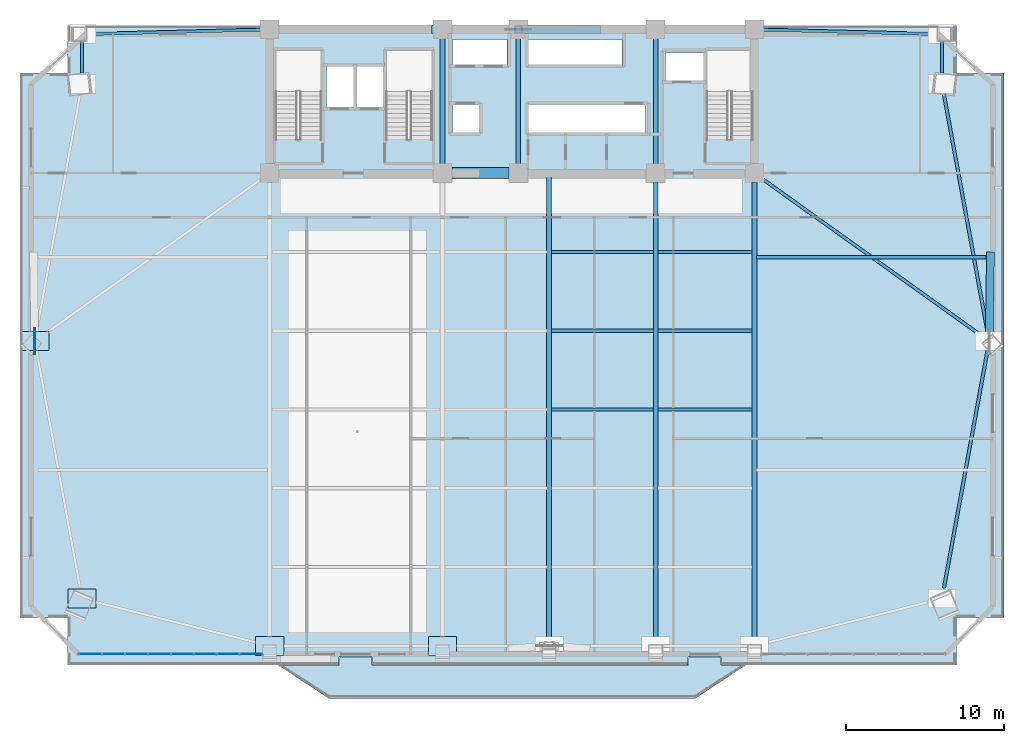
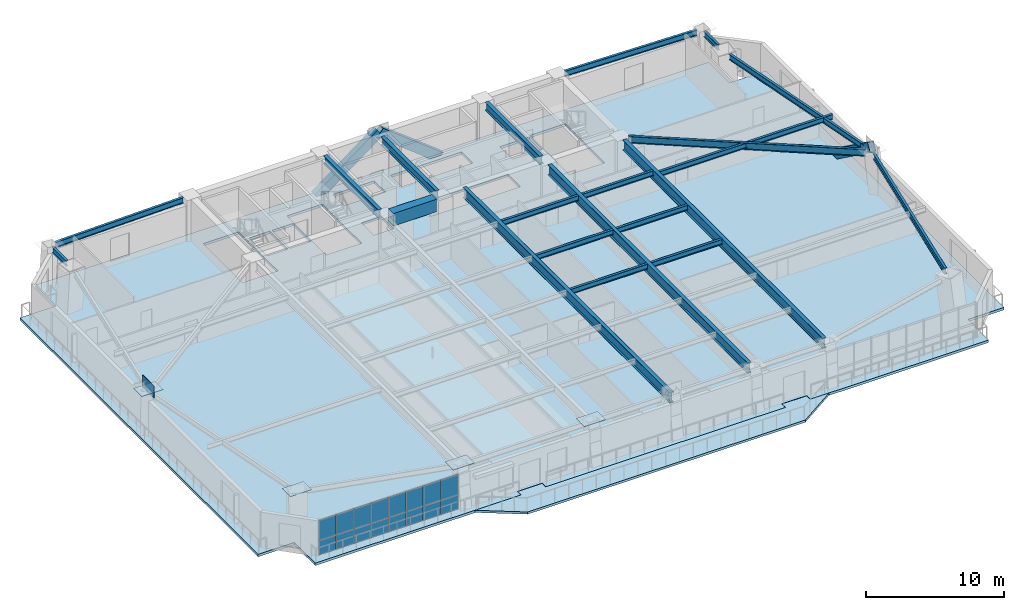
# One storey, part 6 of 15: 21 beams, 21 plates, 3 members, 2 slabs, 1 element without a shape of its own.
"""IFC4 building model written with IfcOpenShell, lengths in metres."""

from ifc_helpers import new_model, si_unit, direction, frame, origin, origin_2d, place, context, subcontext, project, spatial, polyline, rectangle, hollow_rectangle, i_section, outline, extrude, source, transform, mapped, material, layer, layer_set, material_profile, profile_set, type_object, element, aggregate, save


model = new_model("IFC4")

# Units and contexts
model_context = context("Model", 3, precision=1e-05, world=origin(), true_north=direction((0.0, 1.0)))
body_context = subcontext(model_context, "Body", "Model", "MODEL_VIEW")
ifc_project = project(units=[si_unit("LENGTHUNIT", "METRE"), si_unit("AREAUNIT", "SQUARE_METRE"), si_unit("VOLUMEUNIT", "CUBIC_METRE"), si_unit("PLANEANGLEUNIT", "RADIAN"), si_unit("MASSUNIT", "GRAM", prefix="KILO")], contexts=[model_context])

# Site, building, storey
site_placement = place(None, origin())
site = spatial("IfcSite", under=ifc_project, at=site_placement, CompositionType="ELEMENT")
building_placement = place(site_placement, origin())
building = spatial("IfcBuilding", under=site, at=building_placement, Name="Giltprow Tower", CompositionType="ELEMENT")
storey_placement = place(building_placement, frame((0.0, 0.0, 119.199951171875)))
storey = spatial("IfcBuildingStorey", under=building, at=storey_placement, Name="L29", CompositionType="ELEMENT", Elevation=119.199951171875)

# Beams
ifc_material_1 = material(Name="Concrete C60", Category="concrete")
ifc_material_profile_1 = material_profile(ifc_material_1, rectangle(XDim=0.699951171875, YDim=1.10009765625, at=origin_2d()), Name="RC 1100x700")
ifc_profile_set_1 = profile_set([ifc_material_profile_1], Name="Concrete C60")
beam_type_1 = type_object("IfcBeamType", Name="BM-CPL-RC1100", PredefinedType="LINTEL", material=ifc_profile_set_1)
shared_shape_1 = source(origin(), body_context, "Body", "SweptSolid", [
    extrude(rectangle(XDim=0.699951171875, YDim=1.10009765625, at=origin_2d()), origin(), (0.0, 0.0, 1.0), 3.6298828125),
])
beam_1_placement = place(storey_placement, frame((31.385009765625, 37.449951171875, 3.130126953125), z_axis=(1.0, 0.0, 0.0), x_axis=(0.0, 1.0, 0.0)))
element("IfcBeam", 1, at=beam_1_placement, inside=storey, type_object=beam_type_1, Name="L29 Core Coupling Beam CB-1", PredefinedType="LINTEL", context=body_context, shape_type="MappedRepresentation", body=[
    mapped(shared_shape_1, transform((0.0, 0.0, 0.0), x_axis=(1.0, 0.0, 0.0), y_axis=(0.0, 1.0, 0.0), z_axis=(0.0, 0.0, 1.0), scale=1.0)),
])
ifc_material_2 = material(Name="Structural steel Q355B", Category="steel")
ifc_material_profile_2 = material_profile(ifc_material_2, i_section(OverallWidth=0.300048828125, OverallDepth=0.699951171875, WebThickness=0.012939453125, FlangeThickness=0.02392578125, at=origin_2d()), Name="HN 700x300x13x24")
ifc_profile_set_2 = profile_set([ifc_material_profile_2], Name="Structural steel Q355B")
beam_type_2 = type_object("IfcBeamType", Name="BM-GIRD-HN700", PredefinedType="BEAM", material=ifc_profile_set_2)
shared_shape_2 = source(origin(), body_context, "Body", "SweptSolid", [
    extrude(i_section(OverallWidth=0.300048828125, OverallDepth=0.699951171875, WebThickness=0.012939453125, FlangeThickness=0.02392578125, at=origin_2d()), origin(), (0.0, 0.0, 1.0), 7.93017578125),
])
for number, where, z_axis, x_axis, name in (
    (2, (30.800048828125, 38.034912109375, 3.330078125), (0.0, 1.0, 0.0), (-1.0, 0.0, 0.0), "L29 Core Tie Girder M1"),
    (3, (35.60009765625, 38.034912109375, 3.330078125), (0.0, 1.0, 0.0), (-1.0, 0.0, 0.0), "L29 Core Tie Girder M2"),
    (4, (44.300048828125, 38.034912109375, 3.330078125), (0.0, 1.0, 0.0), (-1.0, 0.0, 0.0), "L29 Core Tie Girder M3"),
):
    element("IfcBeam", number, at=place(storey_placement, frame(where, z_axis=z_axis, x_axis=x_axis)), inside=storey, type_object=beam_type_2, Name=name, PredefinedType="BEAM", context=body_context, shape_type="MappedRepresentation", body=[
        mapped(shared_shape_2, transform((0.0, 0.0, 0.0), x_axis=(1.0, 0.0, 0.0), y_axis=(0.0, 1.0, 0.0), z_axis=(0.0, 0.0, 1.0), scale=1.0)),
    ])
ifc_material_profile_3 = material_profile(ifc_material_2, i_section(OverallWidth=0.199951171875, OverallDepth=0.449951171875, WebThickness=0.009033203125, FlangeThickness=0.013916015625, at=origin_2d()), Name="HN 450x200x9x14")
ifc_profile_set_3 = profile_set([ifc_material_profile_3], Name="Structural steel Q355B")
beam_type_3 = type_object("IfcBeamType", Name="BM-JOIST-HN450", PredefinedType="JOIST", material=ifc_profile_set_3)
shared_shape_3 = source(origin(), body_context, "Body", "SweptSolid", [
    extrude(i_section(OverallWidth=0.199951171875, OverallDepth=0.449951171875, WebThickness=0.009033203125, FlangeThickness=0.013916015625, at=origin_2d()), origin(), (0.0, 0.0, 1.0), 6.4599609375),
])
for number, where, z_axis, x_axis, name in (
    (5, (37.695068359375, 22.48388671875, 3.455078125), (1.0, 0.0, 0.0), (0.0, 1.0, 0.0), "L29 Composite Floor Joist 3-3"),
    (6, (37.695068359375, 27.472900390625, 3.455078125), (1.0, 0.0, 0.0), (0.0, 1.0, 0.0), "L29 Composite Floor Joist 4-3"),
    (7, (37.695068359375, 32.4609375, 3.455078125), (1.0, 0.0, 0.0), (0.0, 1.0, 0.0), "L29 Composite Floor Joist 5-3"),
):
    element("IfcBeam", number, at=place(storey_placement, frame(where, z_axis=z_axis, x_axis=x_axis)), inside=storey, type_object=beam_type_3, Name=name, PredefinedType="JOIST", context=body_context, shape_type="MappedRepresentation", body=[
        mapped(shared_shape_3, transform((0.0, 0.0, 0.0), x_axis=(1.0, 0.0, 0.0), y_axis=(0.0, 1.0, 0.0), z_axis=(0.0, 0.0, 1.0), scale=1.0)),
    ])
shared_shape_4 = source(origin(), body_context, "Body", "SweptSolid", [
    extrude(i_section(OverallWidth=0.199951171875, OverallDepth=0.449951171875, WebThickness=0.009033203125, FlangeThickness=0.013916015625, at=origin_2d()), origin(), (0.0, 0.0, 1.0), 5.9599609375),
])
for number, where, z_axis, x_axis, name in (
    (8, (44.445068359375, 22.48388671875, 3.455078125), (1.0, 0.0, 0.0), (0.0, 1.0, 0.0), "L29 Composite Floor Joist 3-4"),
    (9, (44.445068359375, 27.472900390625, 3.455078125), (1.0, 0.0, 0.0), (0.0, 1.0, 0.0), "L29 Composite Floor Joist 4-4"),
    (10, (44.445068359375, 32.4609375, 3.455078125), (1.0, 0.0, 0.0), (0.0, 1.0, 0.0), "L29 Composite Floor Joist 5-4"),
):
    element("IfcBeam", number, at=place(storey_placement, frame(where, z_axis=z_axis, x_axis=x_axis)), inside=storey, type_object=beam_type_3, Name=name, PredefinedType="JOIST", context=body_context, shape_type="MappedRepresentation", body=[
        mapped(shared_shape_4, transform((0.0, 0.0, 0.0), x_axis=(1.0, 0.0, 0.0), y_axis=(0.0, 1.0, 0.0), z_axis=(0.0, 0.0, 1.0), scale=1.0)),
    ])
ifc_material_profile_4 = material_profile(ifc_material_2, i_section(OverallWidth=0.199951171875, OverallDepth=0.5, WebThickness=0.010009765625, FlangeThickness=0.01611328125, at=origin_2d()), Name="HN 500x200x10x16")
ifc_profile_set_4 = profile_set([ifc_material_profile_4], Name="Structural steel Q355B")
beam_type_4 = type_object("IfcBeamType", Name="BM-SPAN-HN500", PredefinedType="SPANDREL", material=ifc_profile_set_4)
shared_shape_5 = source(origin(), body_context, "Body", "SweptSolid", [
    extrude(i_section(OverallWidth=0.199951171875, OverallDepth=0.5, WebThickness=0.010009765625, FlangeThickness=0.01611328125, at=origin_2d()), origin(), (0.0, 0.0, 1.0), 15.45166015625),
])
for number, where, z_axis, x_axis, name in (
    (11, (62.553955078125, 11.18310546875, 3.429931640625), (0.180439714117, 0.983586045839, 0.0), (-0.983586045839, 0.180439714117, 0.0), "L29 Perimeter Spandrel Beam MC_SE-E_MID"),
    (12, (65.342041015625, 27.237060546875, 3.429931640625), (-0.180439714117, 0.983586045839, 0.0), (-0.983586045839, -0.180439714117, 0.0), "L29 Perimeter Spandrel Beam E_MID-MC_NE"),
):
    element("IfcBeam", number, at=place(storey_placement, frame(where, z_axis=z_axis, x_axis=x_axis)), inside=storey, type_object=beam_type_4, Name=name, PredefinedType="SPANDREL", context=body_context, shape_type="MappedRepresentation", body=[
        mapped(shared_shape_5, transform((0.0, 0.0, 0.0), x_axis=(1.0, 0.0, 0.0), y_axis=(0.0, 1.0, 0.0), z_axis=(0.0, 0.0, 1.0), scale=1.0)),
    ])
shared_shape_6 = source(origin(), body_context, "Body", "SweptSolid", [
    extrude(i_section(OverallWidth=0.199951171875, OverallDepth=0.5, WebThickness=0.010009765625, FlangeThickness=0.01611328125, at=origin_2d()), origin(), (0.0, 0.0, 1.0), 2.02099609375),
])
for number, where, z_axis, x_axis, name in (
    (13, (62.429931640625, 43.7939453125, 3.429931640625), (0.0, 1.0, 0.0), (-1.0, 0.0, 0.0), "L29 Perimeter Spandrel Beam MC_NE-N_E"),
    (14, (7.969970703125, 45.81494140625, 3.429931640625), (0.0, -1.0, 0.0), (1.0, 0.0, 0.0), "L29 Perimeter Spandrel Beam N_W-MC_NW"),
):
    element("IfcBeam", number, at=place(storey_placement, frame(where, z_axis=z_axis, x_axis=x_axis)), inside=storey, type_object=beam_type_4, Name=name, PredefinedType="SPANDREL", context=body_context, shape_type="MappedRepresentation", body=[
        mapped(shared_shape_6, transform((0.0, 0.0, 0.0), x_axis=(1.0, 0.0, 0.0), y_axis=(0.0, 1.0, 0.0), z_axis=(0.0, 0.0, 1.0), scale=1.0)),
    ])
shared_shape_7 = source(origin(), body_context, "Body", "SweptSolid", [
    extrude(i_section(OverallWidth=0.199951171875, OverallDepth=0.5, WebThickness=0.010009765625, FlangeThickness=0.01611328125, at=origin_2d()), origin(), (0.0, 0.0, 1.0), 10.86328125),
])
beam_2_placement = place(storey_placement, frame((8.405029296875, 46.260986328125, 3.429931640625), z_axis=(0.99968203455, 0.025215665725, 0.0), x_axis=(-0.025215665725, 0.99968203455, 0.0)))
element("IfcBeam", 15, at=beam_2_placement, inside=storey, type_object=beam_type_4, Name="L29 North Wing Spandrel W", PredefinedType="SPANDREL", context=body_context, shape_type="MappedRepresentation", body=[
    mapped(shared_shape_7, transform((0.0, 0.0, 0.0), x_axis=(1.0, 0.0, 0.0), y_axis=(0.0, 1.0, 0.0), z_axis=(0.0, 0.0, 1.0), scale=1.0)),
])
shared_shape_8 = source(origin(), body_context, "Body", "SweptSolid", [
    extrude(i_section(OverallWidth=0.199951171875, OverallDepth=0.5, WebThickness=0.010009765625, FlangeThickness=0.01611328125, at=origin_2d()), origin(), (0.0, 0.0, 1.0), 10.863525390625),
])
beam_3_placement = place(storey_placement, frame((51.135009765625, 46.534912109375, 3.429931640625), z_axis=(0.999682048839, -0.025215099224, 0.0), x_axis=(0.025215099224, 0.999682048839, 0.0)))
element("IfcBeam", 16, at=beam_3_placement, inside=storey, type_object=beam_type_4, Name="L29 North Wing Spandrel E", PredefinedType="SPANDREL", context=body_context, shape_type="MappedRepresentation", body=[
    mapped(shared_shape_8, transform((0.0, 0.0, 0.0), x_axis=(1.0, 0.0, 0.0), y_axis=(0.0, 1.0, 0.0), z_axis=(0.0, 0.0, 1.0), scale=1.0)),
])
ifc_material_profile_5 = material_profile(ifc_material_2, i_section(OverallWidth=0.300048828125, OverallDepth=0.89990234375, WebThickness=0.01611328125, FlangeThickness=0.028076171875, at=origin_2d()), Name="HN 900x300x16x28")
ifc_profile_set_5 = profile_set([ifc_material_profile_5], Name="Structural steel Q355B")
beam_type_5 = type_object("IfcBeamType", Name="BM-GIRD-HN900", PredefinedType="BEAM", material=ifc_profile_set_5)
shared_shape_9 = source(origin(), body_context, "Body", "SweptSolid", [
    extrude(i_section(OverallWidth=0.300048828125, OverallDepth=0.89990234375, WebThickness=0.01611328125, FlangeThickness=0.028076171875, at=origin_2d()), origin(), (0.0, 0.0, 1.0), 28.912109375),
])
for number, where, z_axis, x_axis, name in (
    (17, (44.300048828125, 7.952880859375, 3.22998046875), (0.0, 1.0, 0.0), (-1.0, 0.0, 0.0), "L29 Primary Lease Girder S3"),
    (18, (50.550048828125, 7.952880859375, 3.22998046875), (0.0, 1.0, 0.0), (-1.0, 0.0, 0.0), "L29 Primary Lease Girder S4"),
):
    element("IfcBeam", number, at=place(storey_placement, frame(where, z_axis=z_axis, x_axis=x_axis)), inside=storey, type_object=beam_type_5, Name=name, PredefinedType="BEAM", context=body_context, shape_type="MappedRepresentation", body=[
        mapped(shared_shape_9, transform((0.0, 0.0, 0.0), x_axis=(1.0, 0.0, 0.0), y_axis=(0.0, 1.0, 0.0), z_axis=(0.0, 0.0, 1.0), scale=1.0)),
    ])
shared_shape_10 = source(origin(), body_context, "Body", "SweptSolid", [
    extrude(i_section(OverallWidth=0.300048828125, OverallDepth=0.89990234375, WebThickness=0.01611328125, FlangeThickness=0.028076171875, at=origin_2d()), origin(), (0.0, 0.0, 1.0), 29.931884765625),
])
beam_4_placement = place(storey_placement, frame((37.550048828125, 7.51806640625, 3.22998046875), z_axis=(0.0, 1.0, 0.0), x_axis=(-1.0, 0.0, 0.0)))
element("IfcBeam", 19, at=beam_4_placement, inside=storey, type_object=beam_type_5, Name="L29 Central Lease Girder SMID", PredefinedType="BEAM", context=body_context, shape_type="MappedRepresentation", body=[
    mapped(shared_shape_10, transform((0.0, 0.0, 0.0), x_axis=(1.0, 0.0, 0.0), y_axis=(0.0, 1.0, 0.0), z_axis=(0.0, 0.0, 1.0), scale=1.0)),
])
ifc_material_profile_6 = material_profile(ifc_material_2, i_section(OverallWidth=0.199951171875, OverallDepth=0.60009765625, WebThickness=0.010986328125, FlangeThickness=0.01708984375, at=origin_2d()), Name="HN 600x200x11x17")
ifc_profile_set_6 = profile_set([ifc_material_profile_6], Name="Structural steel Q355B")
beam_type_6 = type_object("IfcBeamType", Name="BM-GIRD-HN600", PredefinedType="BEAM", material=ifc_profile_set_6)
shared_shape_11 = source(origin(), body_context, "Body", "SweptSolid", [
    extrude(i_section(OverallWidth=0.199951171875, OverallDepth=0.60009765625, WebThickness=0.010986328125, FlangeThickness=0.01708984375, at=origin_2d()), origin(), (0.0, 0.0, 1.0), 17.265869140625),
])
beam_5_placement = place(storey_placement, frame((65.06689453125, 27.06201171875, 3.380126953125), z_axis=(-0.813218189266, 0.581958913194, 0.0), x_axis=(-0.581958913194, -0.813218189266, 0.0)))
element("IfcBeam", 20, at=beam_5_placement, inside=storey, type_object=beam_type_6, Name="L29 East Wing Primary Girder", PredefinedType="BEAM", context=body_context, shape_type="MappedRepresentation", body=[
    mapped(shared_shape_11, transform((0.0, 0.0, 0.0), x_axis=(1.0, 0.0, 0.0), y_axis=(0.0, 1.0, 0.0), z_axis=(0.0, 0.0, 1.0), scale=1.0)),
])
shared_shape_12 = source(origin(), body_context, "Body", "SweptSolid", [
    extrude(i_section(OverallWidth=0.199951171875, OverallDepth=0.449951171875, WebThickness=0.009033203125, FlangeThickness=0.013916015625, at=origin_2d()), origin(), (0.0, 0.0, 1.0), 14.505859375),
])
beam_6_placement = place(storey_placement, frame((50.695068359375, 32.1298828125, 3.455078125), z_axis=(1.0, 0.0, 0.0), x_axis=(0.0, 1.0, 0.0)))
element("IfcBeam", 21, at=beam_6_placement, inside=storey, type_object=beam_type_3, Name="L29 East Wing Floor Joist 2", PredefinedType="JOIST", context=body_context, shape_type="MappedRepresentation", body=[
    mapped(shared_shape_12, transform((0.0, 0.0, 0.0), x_axis=(1.0, 0.0, 0.0), y_axis=(0.0, 1.0, 0.0), z_axis=(0.0, 0.0, 1.0), scale=1.0)),
])

# Members
ifc_material_3 = material(Name="Structural steel Q420GJC", Category="steel")
ifc_material_profile_7 = material_profile(ifc_material_3, hollow_rectangle(XDim=0.5, YDim=0.800048828125, WallThickness=0.035888671875, at=origin_2d()), Name="RHS 800x500x36")
ifc_profile_set_7 = profile_set([ifc_material_profile_7], Name="Structural steel Q420GJC")
member_type = type_object("IfcMemberType", Name="MBR-MEGA-RHS800", PredefinedType="BRACE", material=ifc_profile_set_7)
shared_shape_13 = source(origin(), body_context, "Body", "SweptSolid", [
    extrude(hollow_rectangle(XDim=0.5, YDim=0.800048828125, WallThickness=0.035888671875, at=origin_2d()), origin(), (0.0, 0.0, 1.0), 6.5400390625),
])
member_1_placement = place(storey_placement, frame((30.35009765625, 46.550048828125, -0.139892578125), z_axis=(0.802750995836, 0.0, 0.596314379068), x_axis=(0.0, 1.0, 0.0)))
element("IfcMember", 22, at=member_1_placement, inside=storey, type_object=member_type, Name="L29 Chevron Mega-Brace N-L", PredefinedType="BRACE", context=body_context, shape_type="MappedRepresentation", body=[
    mapped(shared_shape_13, transform((0.0, 0.0, 0.0), x_axis=(1.0, 0.0, 0.0), y_axis=(0.0, 1.0, 0.0), z_axis=(0.0, 0.0, 1.0), scale=1.0)),
])
shared_shape_14 = source(origin(), body_context, "Body", "SweptSolid", [
    extrude(hollow_rectangle(XDim=0.5, YDim=0.800048828125, WallThickness=0.035888671875, at=origin_2d()), origin(), (0.0, 0.0, 1.0), 6.32763671875),
])
member_2_placement = place(storey_placement, frame((40.5830078125, 46.550048828125, -0.139892578125), z_axis=(-0.787487088571, 0.0, 0.616331149086), x_axis=(0.0, -1.0, 0.0)))
element("IfcMember", 23, at=member_2_placement, inside=storey, type_object=member_type, Name="L29 Chevron Mega-Brace N-R", PredefinedType="BRACE", context=body_context, shape_type="MappedRepresentation", body=[
    mapped(shared_shape_14, transform((0.0, 0.0, 0.0), x_axis=(1.0, 0.0, 0.0), y_axis=(0.0, 1.0, 0.0), z_axis=(0.0, 0.0, 1.0), scale=1.0)),
])
shared_shape_15 = source(origin(), body_context, "Body", "SweptSolid", [
    extrude(hollow_rectangle(XDim=0.5, YDim=0.800048828125, WallThickness=0.035888671875, at=origin_2d()), origin(), (0.0, 0.0, 1.0), 6.681640625),
])
member_3_placement = place(storey_placement, frame((65.4990234375, 32.23388671875, 0.0), z_axis=(-0.011692300246, -0.811884098312, 0.583701551329), x_axis=(0.999896315389, -0.014399946936, 0.0)))
element("IfcMember", 24, at=member_3_placement, inside=storey, type_object=member_type, Name="L29 Chevron Mega-Brace E-R", PredefinedType="BRACE", context=body_context, shape_type="MappedRepresentation", body=[
    mapped(shared_shape_15, transform((0.0, 0.0, 0.0), x_axis=(1.0, 0.0, 0.0), y_axis=(0.0, 1.0, 0.0), z_axis=(0.0, 0.0, 1.0), scale=1.0)),
])

# Slabs
ifc_material_4 = material(Name="Concrete C40", Category="concrete")
ifc_layer_1 = layer(ifc_material_4, 0.199951171875, Name="Concrete C40")
ifc_layer_set_1 = layer_set([ifc_layer_1], Name="Concrete C40")
slab_type_1 = type_object("IfcSlabType", Name="SLB-BALC-BRONZE-200", PredefinedType="FLOOR", material=ifc_layer_set_1)
slab_1_placement = place(storey_placement, frame((0.0, 0.0, -0.199951171875)))
element("IfcSlab", 25, at=slab_1_placement, inside=storey, type_object=slab_type_1, Name="L29 Bronze Prow Waterfront Balcony Slab", PredefinedType="FLOOR", context=body_context, shape_type="SweptSolid", body=[
    extrude(outline(polyline([(50.0, 6.2900390625), (46.800048828125, 4.18994140625), (23.60009765625, 4.18994140625), (20.39990234375, 6.2900390625), (24.280029296875, 6.2900390625), (24.280029296875, 6.7900390625), (26.320068359375, 6.7900390625), (26.320068359375, 6.2900390625), (46.3798828125, 6.2900390625), (46.3798828125, 6.7900390625), (48.419921875, 6.7900390625), (48.419921875, 6.2900390625), (50.0, 6.2900390625)])), origin(), (0.0, 0.0, 1.0), 0.199951171875),
])
ifc_layer_2 = layer(ifc_material_4, 0.219970703125, Name="Concrete C40")
ifc_layer_set_2 = layer_set([ifc_layer_2], Name="Concrete C40")
slab_type_2 = type_object("IfcSlabType", Name="SLB-OFF-220", PredefinedType="FLOOR", material=ifc_layer_set_2)
slab_2_placement = place(storey_placement, frame((0.0, 0.0, -0.219970703125)))
element("IfcSlab", 26, at=slab_2_placement, inside=storey, type_object=slab_type_2, Name="L29 Structural Composite Floor Slab", PredefinedType="FLOOR", context=body_context, shape_type="SweptSolid", body=[
    extrude(outline(polyline([(7.06103515625, 6.2900390625), (7.06103515625, 9.306884765625), (4.0439453125, 9.306884765625), (4.0439453125, 43.782958984375), (7.06103515625, 43.782958984375), (7.06103515625, 46.800048828125), (63.339111328125, 46.800048828125), (63.339111328125, 43.782958984375), (66.35595703125, 43.782958984375), (66.35595703125, 9.306884765625), (63.339111328125, 9.306884765625), (63.339111328125, 6.2900390625), (48.449951171875, 6.2900390625), (48.449951171875, 6.81005859375), (46.35009765625, 6.81005859375), (46.35009765625, 6.2900390625), (26.35009765625, 6.2900390625), (26.35009765625, 6.81005859375), (24.25, 6.81005859375), (24.25, 6.2900390625), (7.06103515625, 6.2900390625)]), holes=[polyline([(33.10009765625, 41.800048828125), (31.419921875, 41.800048828125), (31.419921875, 40.0), (33.10009765625, 40.0), (33.10009765625, 41.800048828125)]), polyline([(23.159912109375, 39.570068359375), (23.159912109375, 45.25), (20.199951171875, 45.25), (20.199951171875, 39.570068359375), (23.159912109375, 39.570068359375)]), polyline([(30.159912109375, 45.25), (27.199951171875, 45.25), (27.199951171875, 39.570068359375), (30.159912109375, 39.570068359375), (30.159912109375, 45.25)]), polyline([(25.169921875, 41.60009765625), (25.169921875, 44.199951171875), (23.449951171875, 44.199951171875), (23.449951171875, 41.60009765625), (25.169921875, 41.60009765625)]), polyline([(27.10009765625, 41.60009765625), (27.10009765625, 44.199951171875), (25.35009765625, 44.199951171875), (25.35009765625, 41.60009765625), (27.10009765625, 41.60009765625)]), polyline([(43.659912109375, 40.0), (43.659912109375, 41.800048828125), (36.239990234375, 41.800048828125), (36.239990234375, 40.0), (43.659912109375, 40.0)]), polyline([(50.4599609375, 39.570068359375), (50.4599609375, 45.25), (47.5, 45.25), (47.5, 39.570068359375), (50.4599609375, 39.570068359375)]), polyline([(47.3798828125, 45.10009765625), (44.919921875, 45.10009765625), (44.919921875, 43.300048828125), (47.3798828125, 43.300048828125), (47.3798828125, 45.10009765625)]), polyline([(34.8798828125, 44.300048828125), (34.8798828125, 45.919921875), (31.419921875, 45.919921875), (31.419921875, 44.300048828125), (34.8798828125, 44.300048828125)]), polyline([(42.169921875, 44.300048828125), (42.169921875, 45.919921875), (36.239990234375, 45.919921875), (36.239990234375, 44.300048828125), (42.169921875, 44.300048828125)])]), origin(), (0.0, 0.0, 1.0), 0.219970703125),
])

# Plates
plate_type_1 = type_object("IfcPlateType", Name="PLT-NODE-CKN1", PredefinedType="USERDEFINED", material=ifc_material_3)
shared_shape_16 = source(origin(), body_context, "Body", "SweptSolid", [
    extrude(rectangle(XDim=1.800048828125, YDim=1.199951171875, at=origin_2d()), origin(), (0.0, 0.0, 1.0), 0.044921875),
])
for number, where, z_axis, x_axis, name in (
    (27, (7.969970703125, 10.509033203125, 3.6376953125), (0.0, 0.0, 1.0), (1.0, 0.0, 0.0), "CKN1 Column Taper Splice Node L29-MC_SW"),
    (28, (19.85009765625, 7.51806640625, 3.6376953125), (0.0, 0.0, 1.0), (1.0, 0.0, 0.0), "CKN1 Column Taper Splice Node L29-S1"),
    (29, (30.800048828125, 7.51806640625, 3.6376953125), (0.0, 0.0, 1.0), (1.0, 0.0, 0.0), "CKN1 Column Taper Splice Node L29-S2"),
    (30, (4.97900390625, 26.80908203125, 3.6376953125), (0.0, 0.0, 1.0), (1.0, 0.0, 0.0), "CKN1 Column Taper Splice Node L29-W_MID"),
):
    element("IfcPlate", number, at=place(storey_placement, frame(where, z_axis=z_axis, x_axis=x_axis)), inside=storey, type_object=plate_type_1, Name=name, ObjectType="SPLICE", PredefinedType="USERDEFINED", context=body_context, shape_type="MappedRepresentation", body=[
        mapped(shared_shape_16, transform((0.0, 0.0, 0.0), x_axis=(1.0, 0.0, 0.0), y_axis=(0.0, 1.0, 0.0), z_axis=(0.0, 0.0, 1.0), scale=1.0)),
    ])
plate_type_2 = type_object("IfcPlateType", Name="PLT-NODE-MBN2", PredefinedType="USERDEFINED", material=ifc_material_3)
shared_shape_17 = source(origin(), body_context, "Body", "SweptSolid", [
    extrude(rectangle(XDim=1.64990234375, YDim=0.044921875, at=origin_2d()), origin(), (0.0, 0.0, 1.0), 1.050048828125),
])
plate_1_placement = place(storey_placement, frame((4.97900390625, 26.80908203125, 3.375), z_axis=(0.0, 0.0, 1.0), x_axis=(0.0, 1.0, 0.0)))
element("IfcPlate", 31, at=plate_1_placement, inside=storey, type_object=plate_type_2, Name="Mega-Brace Node L29-W-RB", ObjectType="GUSSET", PredefinedType="USERDEFINED", context=body_context, shape_type="MappedRepresentation", body=[
    mapped(shared_shape_17, transform((0.0, 0.0, 0.0), x_axis=(1.0, 0.0, 0.0), y_axis=(0.0, 1.0, 0.0), z_axis=(0.0, 0.0, 1.0), scale=1.0)),
])

# Curtain wall, plates
ifc_material_5 = material(Name="Anodized bronze", Category="metal")
ifc_layer_3 = layer(ifc_material_5, 0.179931640625, Name="Anodized bronze")
ifc_layer_set_3 = layer_set([ifc_layer_3], Name="Anodized bronze")
curtain_wall_type = type_object("IfcCurtainWallType", Name="CW-OFF-RECESSED", PredefinedType="NOTDEFINED", material=ifc_layer_set_3)
curtain_wall_placement = place(storey_placement, origin())
curtain_wall = element("IfcCurtainWall", 32, at=curtain_wall_placement, inside=storey, type_object=curtain_wall_type, Name="L29 South Recessed Curtain Wall 1", PredefinedType="NOTDEFINED")
ifc_material_6 = material(Name="Insulated glass", Category="glass")
plate_type_3 = type_object("IfcPlateType", Name="CW-PANEL-IGU-28", PredefinedType="CURTAIN_PANEL", material=ifc_material_6)
shared_shape_18 = source(origin(), body_context, "Body", "SweptSolid", [
    extrude(rectangle(XDim=1.425048828125, YDim=0.028076171875, at=origin_2d()), origin(), (0.0, 0.0, 1.0), 1.259033203125),
])
plate_2_placement = place(storey_placement, frame((8.488037109375, 6.989990234375, 0.0537109375), z_axis=(0.0, 0.0, 1.0), x_axis=(1.0, 0.0, 0.0)))
plate_2 = element("IfcPlate", 33, at=plate_2_placement, type_object=plate_type_3, Name="L29 South Recessed Curtain Wall 1 Glazing Panel 1-1", PredefinedType="CURTAIN_PANEL", context=body_context, shape_type="MappedRepresentation", body=[
    mapped(shared_shape_18, transform((0.0, 0.0, 0.0), x_axis=(1.0, 0.0, 0.0), y_axis=(0.0, 1.0, 0.0), z_axis=(0.0, 0.0, 1.0), scale=1.0)),
])
plate_3_placement = place(storey_placement, frame((9.943115234375, 6.989990234375, 0.0537109375), z_axis=(0.0, 0.0, 1.0), x_axis=(1.0, 0.0, 0.0)))
plate_3 = element("IfcPlate", 34, at=plate_3_placement, type_object=plate_type_3, Name="L29 South Recessed Curtain Wall 1 Glazing Panel 2-1", PredefinedType="CURTAIN_PANEL", context=body_context, shape_type="MappedRepresentation", body=[
    mapped(shared_shape_18, transform((0.0, 0.0, 0.0), x_axis=(1.0, 0.0, 0.0), y_axis=(0.0, 1.0, 0.0), z_axis=(0.0, 0.0, 1.0), scale=1.0)),
])
plate_4_placement = place(storey_placement, frame((11.39794921875, 6.989990234375, 0.0537109375), z_axis=(0.0, 0.0, 1.0), x_axis=(1.0, 0.0, 0.0)))
plate_4 = element("IfcPlate", 35, at=plate_4_placement, type_object=plate_type_3, Name="L29 South Recessed Curtain Wall 1 Glazing Panel 3-1", PredefinedType="CURTAIN_PANEL", context=body_context, shape_type="MappedRepresentation", body=[
    mapped(shared_shape_18, transform((0.0, 0.0, 0.0), x_axis=(1.0, 0.0, 0.0), y_axis=(0.0, 1.0, 0.0), z_axis=(0.0, 0.0, 1.0), scale=1.0)),
])
plate_5_placement = place(storey_placement, frame((12.85302734375, 6.989990234375, 0.0537109375), z_axis=(0.0, 0.0, 1.0), x_axis=(1.0, 0.0, 0.0)))
plate_5 = element("IfcPlate", 36, at=plate_5_placement, type_object=plate_type_3, Name="L29 South Recessed Curtain Wall 1 Glazing Panel 4-1", PredefinedType="CURTAIN_PANEL", context=body_context, shape_type="MappedRepresentation", body=[
    mapped(shared_shape_18, transform((0.0, 0.0, 0.0), x_axis=(1.0, 0.0, 0.0), y_axis=(0.0, 1.0, 0.0), z_axis=(0.0, 0.0, 1.0), scale=1.0)),
])
plate_6_placement = place(storey_placement, frame((14.30810546875, 6.989990234375, 0.0537109375), z_axis=(0.0, 0.0, 1.0), x_axis=(1.0, 0.0, 0.0)))
plate_6 = element("IfcPlate", 37, at=plate_6_placement, type_object=plate_type_3, Name="L29 South Recessed Curtain Wall 1 Glazing Panel 5-1", PredefinedType="CURTAIN_PANEL", context=body_context, shape_type="MappedRepresentation", body=[
    mapped(shared_shape_18, transform((0.0, 0.0, 0.0), x_axis=(1.0, 0.0, 0.0), y_axis=(0.0, 1.0, 0.0), z_axis=(0.0, 0.0, 1.0), scale=1.0)),
])
plate_7_placement = place(storey_placement, frame((15.762939453125, 6.989990234375, 0.0537109375), z_axis=(0.0, 0.0, 1.0), x_axis=(1.0, 0.0, 0.0)))
plate_7 = element("IfcPlate", 38, at=plate_7_placement, type_object=plate_type_3, Name="L29 South Recessed Curtain Wall 1 Glazing Panel 6-1", PredefinedType="CURTAIN_PANEL", context=body_context, shape_type="MappedRepresentation", body=[
    mapped(shared_shape_18, transform((0.0, 0.0, 0.0), x_axis=(1.0, 0.0, 0.0), y_axis=(0.0, 1.0, 0.0), z_axis=(0.0, 0.0, 1.0), scale=1.0)),
])
plate_8_placement = place(storey_placement, frame((17.218017578125, 6.989990234375, 0.0537109375), z_axis=(0.0, 0.0, 1.0), x_axis=(1.0, 0.0, 0.0)))
plate_8 = element("IfcPlate", 39, at=plate_8_placement, type_object=plate_type_3, Name="L29 South Recessed Curtain Wall 1 Glazing Panel 7-1", PredefinedType="CURTAIN_PANEL", context=body_context, shape_type="MappedRepresentation", body=[
    mapped(shared_shape_18, transform((0.0, 0.0, 0.0), x_axis=(1.0, 0.0, 0.0), y_axis=(0.0, 1.0, 0.0), z_axis=(0.0, 0.0, 1.0), scale=1.0)),
])
plate_9_placement = place(storey_placement, frame((18.673095703125, 6.989990234375, 0.0537109375), z_axis=(0.0, 0.0, 1.0), x_axis=(1.0, 0.0, 0.0)))
plate_9 = element("IfcPlate", 40, at=plate_9_placement, type_object=plate_type_3, Name="L29 South Recessed Curtain Wall 1 Glazing Panel 8-1", PredefinedType="CURTAIN_PANEL", context=body_context, shape_type="MappedRepresentation", body=[
    mapped(shared_shape_18, transform((0.0, 0.0, 0.0), x_axis=(1.0, 0.0, 0.0), y_axis=(0.0, 1.0, 0.0), z_axis=(0.0, 0.0, 1.0), scale=1.0)),
])
shared_shape_19 = source(origin(), body_context, "Body", "SweptSolid", [
    extrude(rectangle(XDim=1.425048828125, YDim=0.028076171875, at=origin_2d()), origin(), (0.0, 0.0, 1.0), 1.764892578125),
])
plate_10_placement = place(storey_placement, frame((8.488037109375, 6.989990234375, 1.3408203125), z_axis=(0.0, 0.0, 1.0), x_axis=(1.0, 0.0, 0.0)))
plate_10 = element("IfcPlate", 41, at=plate_10_placement, type_object=plate_type_3, Name="L29 South Recessed Curtain Wall 1 Glazing Panel 1-2", PredefinedType="CURTAIN_PANEL", context=body_context, shape_type="MappedRepresentation", body=[
    mapped(shared_shape_19, transform((0.0, 0.0, 0.0), x_axis=(1.0, 0.0, 0.0), y_axis=(0.0, 1.0, 0.0), z_axis=(0.0, 0.0, 1.0), scale=1.0)),
])
plate_11_placement = place(storey_placement, frame((9.943115234375, 6.989990234375, 1.3408203125), z_axis=(0.0, 0.0, 1.0), x_axis=(1.0, 0.0, 0.0)))
plate_11 = element("IfcPlate", 42, at=plate_11_placement, type_object=plate_type_3, Name="L29 South Recessed Curtain Wall 1 Glazing Panel 2-2", PredefinedType="CURTAIN_PANEL", context=body_context, shape_type="MappedRepresentation", body=[
    mapped(shared_shape_19, transform((0.0, 0.0, 0.0), x_axis=(1.0, 0.0, 0.0), y_axis=(0.0, 1.0, 0.0), z_axis=(0.0, 0.0, 1.0), scale=1.0)),
])
plate_12_placement = place(storey_placement, frame((11.39794921875, 6.989990234375, 1.3408203125), z_axis=(0.0, 0.0, 1.0), x_axis=(1.0, 0.0, 0.0)))
plate_12 = element("IfcPlate", 43, at=plate_12_placement, type_object=plate_type_3, Name="L29 South Recessed Curtain Wall 1 Glazing Panel 3-2", PredefinedType="CURTAIN_PANEL", context=body_context, shape_type="MappedRepresentation", body=[
    mapped(shared_shape_19, transform((0.0, 0.0, 0.0), x_axis=(1.0, 0.0, 0.0), y_axis=(0.0, 1.0, 0.0), z_axis=(0.0, 0.0, 1.0), scale=1.0)),
])
plate_13_placement = place(storey_placement, frame((12.85302734375, 6.989990234375, 1.3408203125), z_axis=(0.0, 0.0, 1.0), x_axis=(1.0, 0.0, 0.0)))
plate_13 = element("IfcPlate", 44, at=plate_13_placement, type_object=plate_type_3, Name="L29 South Recessed Curtain Wall 1 Glazing Panel 4-2", PredefinedType="CURTAIN_PANEL", context=body_context, shape_type="MappedRepresentation", body=[
    mapped(shared_shape_19, transform((0.0, 0.0, 0.0), x_axis=(1.0, 0.0, 0.0), y_axis=(0.0, 1.0, 0.0), z_axis=(0.0, 0.0, 1.0), scale=1.0)),
])
plate_14_placement = place(storey_placement, frame((14.30810546875, 6.989990234375, 1.3408203125), z_axis=(0.0, 0.0, 1.0), x_axis=(1.0, 0.0, 0.0)))
plate_14 = element("IfcPlate", 45, at=plate_14_placement, type_object=plate_type_3, Name="L29 South Recessed Curtain Wall 1 Glazing Panel 5-2", PredefinedType="CURTAIN_PANEL", context=body_context, shape_type="MappedRepresentation", body=[
    mapped(shared_shape_19, transform((0.0, 0.0, 0.0), x_axis=(1.0, 0.0, 0.0), y_axis=(0.0, 1.0, 0.0), z_axis=(0.0, 0.0, 1.0), scale=1.0)),
])
plate_15_placement = place(storey_placement, frame((15.762939453125, 6.989990234375, 1.3408203125), z_axis=(0.0, 0.0, 1.0), x_axis=(1.0, 0.0, 0.0)))
plate_15 = element("IfcPlate", 46, at=plate_15_placement, type_object=plate_type_3, Name="L29 South Recessed Curtain Wall 1 Glazing Panel 6-2", PredefinedType="CURTAIN_PANEL", context=body_context, shape_type="MappedRepresentation", body=[
    mapped(shared_shape_19, transform((0.0, 0.0, 0.0), x_axis=(1.0, 0.0, 0.0), y_axis=(0.0, 1.0, 0.0), z_axis=(0.0, 0.0, 1.0), scale=1.0)),
])
plate_16_placement = place(storey_placement, frame((17.218017578125, 6.989990234375, 1.3408203125), z_axis=(0.0, 0.0, 1.0), x_axis=(1.0, 0.0, 0.0)))
plate_16 = element("IfcPlate", 47, at=plate_16_placement, type_object=plate_type_3, Name="L29 South Recessed Curtain Wall 1 Glazing Panel 7-2", PredefinedType="CURTAIN_PANEL", context=body_context, shape_type="MappedRepresentation", body=[
    mapped(shared_shape_19, transform((0.0, 0.0, 0.0), x_axis=(1.0, 0.0, 0.0), y_axis=(0.0, 1.0, 0.0), z_axis=(0.0, 0.0, 1.0), scale=1.0)),
])
plate_17_placement = place(storey_placement, frame((18.673095703125, 6.989990234375, 1.3408203125), z_axis=(0.0, 0.0, 1.0), x_axis=(1.0, 0.0, 0.0)))
plate_17 = element("IfcPlate", 48, at=plate_17_placement, type_object=plate_type_3, Name="L29 South Recessed Curtain Wall 1 Glazing Panel 8-2", PredefinedType="CURTAIN_PANEL", context=body_context, shape_type="MappedRepresentation", body=[
    mapped(shared_shape_19, transform((0.0, 0.0, 0.0), x_axis=(1.0, 0.0, 0.0), y_axis=(0.0, 1.0, 0.0), z_axis=(0.0, 0.0, 1.0), scale=1.0)),
])
aggregate(curtain_wall, [plate_2, plate_10, plate_3, plate_11, plate_4, plate_12, plate_5, plate_13, plate_6, plate_14, plate_7, plate_15, plate_8, plate_16, plate_9, plate_17])

save(model, "model.ifc")
